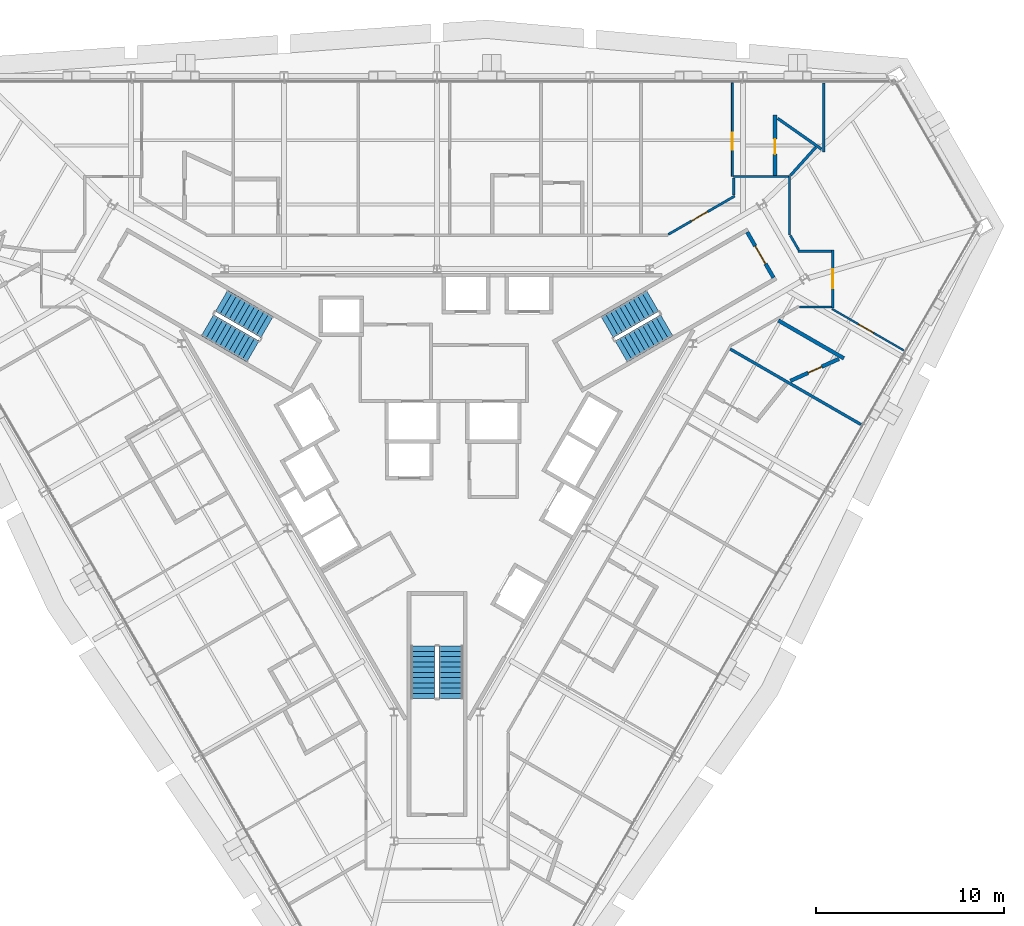
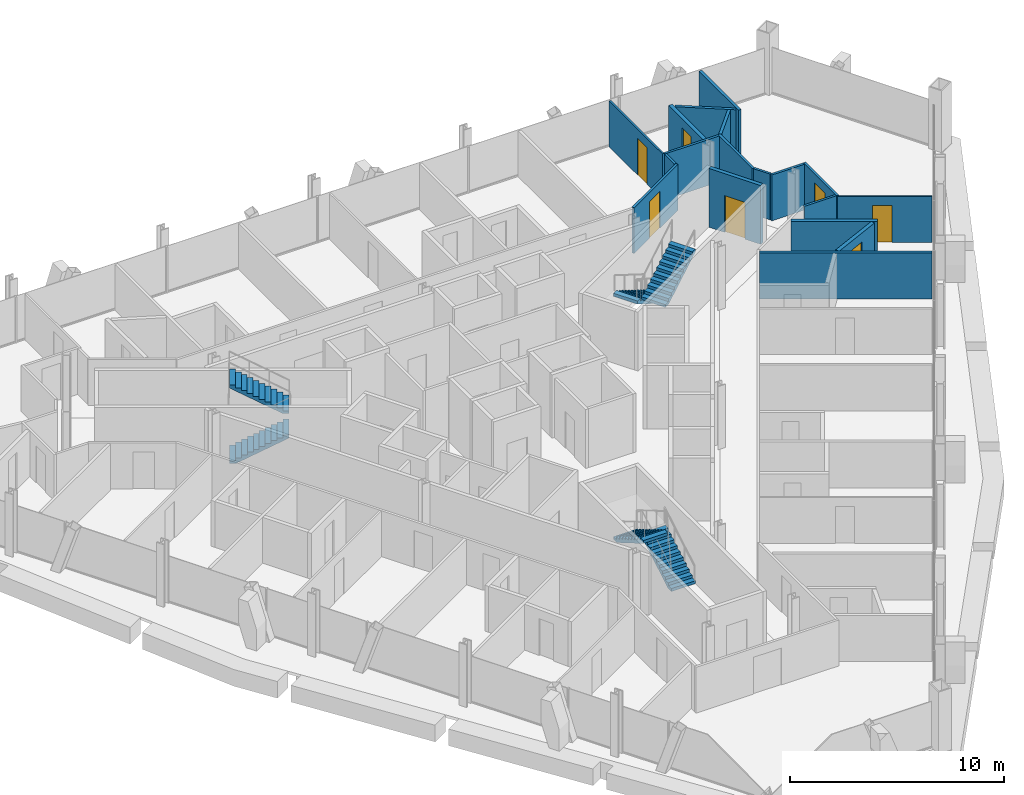
# One storey, part 17 of 19: 18 walls, 7 doors, 6 stair flights, 7 openings, 3 elements without a shape of their own.
"""IFC4 building model written with IfcOpenShell, lengths in metres."""

from ifc_helpers import new_model, si_unit, direction, frame, frame_2d, origin, place, context, subcontext, project, spatial, polyline, rectangle, outline, extrude, material, layer, layer_set, type_object, element, fill, aggregate, save


model = new_model("IFC4")

# Units and contexts
model_context = context("Model", 3, precision=1e-05, world=origin(), true_north=direction((0.0, 1.0)))
body_context = subcontext(model_context, "Body", "Model", "MODEL_VIEW")
ifc_project = project(units=[si_unit("LENGTHUNIT", "METRE"), si_unit("AREAUNIT", "SQUARE_METRE"), si_unit("VOLUMEUNIT", "CUBIC_METRE"), si_unit("PLANEANGLEUNIT", "RADIAN"), si_unit("MASSUNIT", "GRAM", prefix="KILO")], contexts=[model_context])

# Site, building, storey
site_placement = place(None, origin())
site = spatial("IfcSite", under=ifc_project, at=site_placement, CompositionType="ELEMENT")
building_placement = place(site_placement, origin())
building = spatial("IfcBuilding", under=site, at=building_placement, Name="Verrane Prism Tower", CompositionType="ELEMENT")
storey_placement = place(building_placement, frame((0.0, 0.0, 125.199951171875)))
storey = spatial("IfcBuildingStorey", under=building, at=storey_placement, Name="L30", CompositionType="ELEMENT", Elevation=125.199951171875)

# Wall, opening, door
ifc_material_1 = material(Name="Concrete C40/50", Category="concrete")
ifc_layer_1 = layer(ifc_material_1, 0.199951171875)
ifc_layer_set_1 = layer_set([ifc_layer_1], Name="CW-200 stair core wall concrete C40/50 3 h")
wall_type_1 = type_object("IfcWallType", Name="CW-200 stair core wall concrete C40/50 3 h", PredefinedType="PARTITIONING", material=ifc_layer_set_1)
wall_1_placement = place(storey_placement, frame((17.933837890625, 8.737548828125, 0.0), z_axis=(0.0, 0.0, 1.0), x_axis=(-0.49998411664, 0.866034573852, 0.0)))
wall_1 = element("IfcWall", 1, at=wall_1_placement, inside=storey, type_object=wall_type_1, Name="Stair 1 enclosure wall", PredefinedType="PARTITIONING", context=body_context, shape_type="SweptSolid", body=[
    extrude(rectangle(XDim=2.7998046875, YDim=0.199951171875, at=frame_2d((1.39990234375, 0.0))), origin(), (0.0, 0.0, 1.0), 3.35009765625),
])
opening_1_placement = place(wall_1_placement, frame((0.849853515625, 0.0, 0.0)))
opening_1 = element("IfcOpeningElement", 2, at=opening_1_placement, cuts=wall_1, Name="Opening D29500", PredefinedType="OPENING", context=body_context, shape_type="SweptSolid", body=[
    extrude(rectangle(XDim=1.10009765625, YDim=2.10009765625, at=frame_2d((0.550048828125, 1.050048828125))), frame((0.0, 0.10986328125, 0.0), z_axis=(0.0, -1.0, 0.0), x_axis=(1.0, 0.0, 0.0)), (0.0, 0.0, 1.0), 0.219970703125),
])
ifc_material_2 = material(Name="Timber veneered door leaf", Category="wood")
door_type_1 = type_object("IfcDoorType", Name="DR-1100x2100 FD90 single leaf stair", OperationType="NOTDEFINED", PredefinedType="DOOR", material=ifc_material_2)
door_1_placement = place(opening_1_placement, origin())
door_1 = element("IfcDoor", 3, at=door_1_placement, inside=storey, type_object=door_type_1, Name="Stair 1 door", OperationType="SINGLE_SWING_LEFT", OverallHeight=2.10009765625, OverallWidth=1.10009765625, PredefinedType="DOOR", context=body_context, shape_type="SweptSolid", body=[
    extrude(rectangle(XDim=1.10009765625, YDim=2.10009765625, at=frame_2d((0.550048828125, 1.050048828125))), frame((0.0, 0.02490234375, 0.0), z_axis=(0.0, -1.0, 0.0), x_axis=(1.0, 0.0, 0.0)), (0.0, 0.0, 1.0), 0.050048828125),
])
fill(opening_1, door_1)

ifc_material_3 = material(Name="Gypsum board partition", Category="other")
ifc_layer_2 = layer(ifc_material_3, 0.10009765625)
ifc_layer_set_2 = layer_set([ifc_layer_2], Name="PW-100 room partition")
wall_type_2 = type_object("IfcWallType", Name="PW-100 room partition", PredefinedType="PARTITIONING", material=ifc_layer_set_2)
wall_2_placement = place(storey_placement, frame((15.740966796875, 19.114990234375, 0.0), z_axis=(0.0, 0.0, 1.0), x_axis=(0.0, -1.0, 0.0)))
wall_2 = element("IfcWall", 4, at=wall_2_placement, inside=storey, type_object=wall_type_2, Name="Room partition 066", PredefinedType="PARTITIONING", context=body_context, shape_type="SweptSolid", body=[
    extrude(rectangle(XDim=4.98486328125, YDim=0.10009765625, at=frame_2d((2.492431640625, 0.0))), origin(), (0.0, 0.0, 1.0), 2.613037109375),
])
opening_2_placement = place(wall_2_placement, frame((2.65087890625, 0.0, 0.0)))
opening_2 = element("IfcOpeningElement", 5, at=opening_2_placement, cuts=wall_2, Name="Opening D29002", PredefinedType="OPENING", context=body_context, shape_type="SweptSolid", body=[
    extrude(rectangle(XDim=0.89990234375, YDim=2.10009765625, at=frame_2d((0.449951171875, 1.050048828125))), frame((0.0, 0.06005859375, 0.0), z_axis=(0.0, -1.0, 0.0), x_axis=(1.0, 0.0, 0.0)), (0.0, 0.0, 1.0), 0.1201171875),
])
ifc_material_4 = material(Name="Timber veneered door leaf", Category="wood")
door_type_2 = type_object("IfcDoorType", Name="DR-900x2100 single leaf inner", OperationType="NOTDEFINED", PredefinedType="DOOR", material=ifc_material_4)
door_2_placement = place(opening_2_placement, origin())
door_2 = element("IfcDoor", 6, at=door_2_placement, inside=storey, type_object=door_type_2, Name="Suite Living Room door", OperationType="SINGLE_SWING_LEFT", OverallHeight=2.10009765625, OverallWidth=0.89990234375, PredefinedType="DOOR", context=body_context, shape_type="SweptSolid", body=[
    extrude(rectangle(XDim=0.89990234375, YDim=2.10009765625, at=frame_2d((0.449951171875, 1.050048828125))), frame((0.0, 0.02490234375, 0.0), z_axis=(0.0, -1.0, 0.0), x_axis=(1.0, 0.0, 0.0)), (0.0, 0.0, 1.0), 0.050048828125),
])
fill(opening_2, door_2)

wall_3_placement = place(storey_placement, frame((24.8779296875, 4.85986328125, 0.0), z_axis=(0.0, 0.0, 1.0), x_axis=(-0.866005058873, 0.500035236765, 0.0)))
wall_3 = element("IfcWall", 7, at=wall_3_placement, inside=storey, type_object=wall_type_2, Name="Room partition 080", PredefinedType="PARTITIONING", context=body_context, shape_type="SweptSolid", body=[
    extrude(rectangle(XDim=4.414306640625, YDim=0.10009765625, at=frame_2d((2.20703125, 0.0))), origin(), (0.0, 0.0, 1.0), 2.613037109375),
])
opening_3_placement = place(wall_3_placement, frame((1.875732421875, 0.0, 0.0)))
opening_3 = element("IfcOpeningElement", 8, at=opening_3_placement, cuts=wall_3, Name="Opening D29039", PredefinedType="OPENING", context=body_context, shape_type="SweptSolid", body=[
    extrude(rectangle(XDim=0.89990234375, YDim=2.10009765625, at=frame_2d((0.449951171875, 1.050048828125))), frame((0.0, 0.06005859375, 0.0), z_axis=(0.0, -1.0, 0.0), x_axis=(1.0, 0.0, 0.0)), (0.0, 0.0, 1.0), 0.1201171875),
])
door_3_placement = place(opening_3_placement, origin())
door_3 = element("IfcDoor", 9, at=door_3_placement, inside=storey, type_object=door_type_2, Name="Suite Living Room door", OperationType="SINGLE_SWING_RIGHT", OverallHeight=2.10009765625, OverallWidth=0.89990234375, PredefinedType="DOOR", context=body_context, shape_type="SweptSolid", body=[
    extrude(rectangle(XDim=0.89990234375, YDim=2.10009765625, at=frame_2d((0.449951171875, 1.050048828125))), frame((0.0, 0.02490234375, 0.0), z_axis=(0.0, -1.0, 0.0), x_axis=(1.0, 0.0, 0.0)), (0.0, 0.0, 1.0), 0.050048828125),
])
fill(opening_3, door_3)

ifc_material_5 = material(Name="Gypsum board partition", Category="other")
ifc_layer_3 = layer(ifc_material_5, 0.125)
ifc_layer_set_3 = layer_set([ifc_layer_3], Name="PW-125 corridor wall 1 h")
wall_type_3 = type_object("IfcWallType", Name="PW-125 corridor wall 1 h", PredefinedType="PARTITIONING", material=ifc_layer_set_3)
wall_4_placement = place(storey_placement, frame((12.32666015625, 11.04248046875, 0.0), z_axis=(0.0, 0.0, 1.0), x_axis=(0.866070231021, 0.499922348909, 0.0)))
wall_4 = element("IfcWall", 10, at=wall_4_placement, inside=storey, type_object=wall_type_3, Name="Corridor wall 061", PredefinedType="PARTITIONING", context=body_context, shape_type="SweptSolid", body=[
    extrude(rectangle(XDim=4.088134765625, YDim=0.125, at=frame_2d((2.0439453125, 0.0))), origin(), (0.0, 0.0, 1.0), 2.613037109375),
])
opening_4_placement = place(wall_4_placement, frame((1.4150390625, 0.0, 0.0)))
opening_4 = element("IfcOpeningElement", 11, at=opening_4_placement, cuts=wall_4, Name="Opening D29001", PredefinedType="OPENING", context=body_context, shape_type="SweptSolid", body=[
    extrude(rectangle(XDim=1.0, YDim=2.10009765625, at=frame_2d((0.5, 1.050048828125))), frame((0.0, 0.072509765625, 0.0), z_axis=(0.0, -1.0, 0.0), x_axis=(1.0, 0.0, 0.0)), (0.0, 0.0, 1.0), 0.14501953125),
])
ifc_material_6 = material(Name="Timber veneered door leaf", Category="wood")
door_type_3 = type_object("IfcDoorType", Name="DR-1000x2100 FD20 single leaf unit", OperationType="NOTDEFINED", PredefinedType="DOOR", material=ifc_material_6)
door_4_placement = place(opening_4_placement, origin())
door_4 = element("IfcDoor", 12, at=door_4_placement, inside=storey, type_object=door_type_3, Name="Suite Living Room door", OperationType="SINGLE_SWING_LEFT", OverallHeight=2.10009765625, OverallWidth=1.0, PredefinedType="DOOR", context=body_context, shape_type="SweptSolid", body=[
    extrude(rectangle(XDim=1.0, YDim=2.10009765625, at=frame_2d((0.5, 1.050048828125))), frame((0.0, 0.02490234375, 0.0), z_axis=(0.0, -1.0, 0.0), x_axis=(1.0, 0.0, 0.0)), (0.0, 0.0, 1.0), 0.050048828125),
])
fill(opening_4, door_4)

# Walls
wall_5_placement = place(storey_placement, frame((15.81298828125, 13.139892578125, 0.0), z_axis=(0.0, 0.0, 1.0), x_axis=(0.0, 1.0, 0.0)))
element("IfcWall", 13, at=wall_5_placement, inside=storey, type_object=wall_type_3, Name="Corridor wall 067", PredefinedType="PARTITIONING", context=body_context, shape_type="SweptSolid", body=[
    extrude(rectangle(XDim=0.922119140625, YDim=0.125, at=frame_2d((0.4609375, 0.0))), origin(), (0.0, 0.0, 1.0), 2.613037109375),
])
wall_6_placement = place(storey_placement, frame((15.79541015625, 14.126953125, 0.0), z_axis=(0.0, 0.0, 1.0), x_axis=(1.0, 0.0, 0.0)))
element("IfcWall", 14, at=wall_6_placement, inside=storey, type_object=wall_type_3, Name="Corridor wall 068", PredefinedType="PARTITIONING", context=body_context, shape_type="SweptSolid", body=[
    extrude(rectangle(XDim=2.926513671875, YDim=0.125, at=frame_2d((1.46337890625, 0.0))), origin(), (0.0, 0.0, 1.0), 2.613037109375),
])
wall_7_placement = place(storey_placement, frame((18.787109375, 10.99755859375, 0.0), z_axis=(0.0, 0.0, 1.0), x_axis=(0.0, 1.0, 0.0)))
element("IfcWall", 15, at=wall_7_placement, inside=storey, type_object=wall_type_3, Name="Corridor wall 074", PredefinedType="PARTITIONING", context=body_context, shape_type="SweptSolid", body=[
    extrude(rectangle(XDim=3.19189453125, YDim=0.125, at=frame_2d((1.595947265625, 0.0))), origin(), (0.0, 0.0, 1.0), 2.613037109375),
])
wall_8_placement = place(storey_placement, frame((18.82958984375, 10.986328125, 0.0), z_axis=(0.0, 0.0, 1.0), x_axis=(0.499881837328, -0.866093614288, 0.0)))
element("IfcWall", 16, at=wall_8_placement, inside=storey, type_object=wall_type_3, Name="Corridor wall 075", PredefinedType="PARTITIONING", context=body_context, shape_type="SweptSolid", body=[
    extrude(rectangle(XDim=0.884033203125, YDim=0.125, at=frame_2d((0.44189453125, 0.0))), origin(), (0.0, 0.0, 1.0), 2.613037109375),
])
wall_9_placement = place(storey_placement, frame((19.30908203125, 7.173095703125, 0.0), z_axis=(0.0, 0.0, 1.0), x_axis=(1.0, 0.0, 0.0)))
element("IfcWall", 17, at=wall_9_placement, inside=storey, type_object=wall_type_3, Name="Corridor wall 077", PredefinedType="PARTITIONING", context=body_context, shape_type="SweptSolid", body=[
    extrude(rectangle(XDim=1.712890625, YDim=0.125, at=frame_2d((0.8564453125, 0.0))), origin(), (0.0, 0.0, 1.0), 2.613037109375),
])
wall_10_placement = place(storey_placement, frame((19.25146484375, 10.14697265625, 0.0), z_axis=(0.0, 0.0, 1.0), x_axis=(1.0, 0.0, 0.0)))
element("IfcWall", 18, at=wall_10_placement, inside=storey, type_object=wall_type_3, Name="Corridor wall 078", PredefinedType="PARTITIONING", context=body_context, shape_type="SweptSolid", body=[
    extrude(rectangle(XDim=1.7705078125, YDim=0.125, at=frame_2d((0.88525390625, 0.0))), origin(), (0.0, 0.0, 1.0), 2.613037109375),
])

# Wall, opening, door
wall_11_placement = place(storey_placement, frame((21.0869140625, 10.20947265625, 0.0), z_axis=(0.0, 0.0, 1.0), x_axis=(0.0, -1.0, 0.0)))
wall_11 = element("IfcWall", 19, at=wall_11_placement, inside=storey, type_object=wall_type_3, Name="Corridor wall 081", PredefinedType="PARTITIONING", context=body_context, shape_type="SweptSolid", body=[
    extrude(rectangle(XDim=3.098876953125, YDim=0.125, at=frame_2d((1.54931640625, 0.0))), origin(), (0.0, 0.0, 1.0), 2.613037109375),
])
opening_5_placement = place(wall_11_placement, frame((1.03662109375, 0.0, 0.0)))
opening_5 = element("IfcOpeningElement", 20, at=opening_5_placement, cuts=wall_11, Name="Opening D29038", PredefinedType="OPENING", context=body_context, shape_type="SweptSolid", body=[
    extrude(rectangle(XDim=1.0, YDim=2.10009765625, at=frame_2d((0.5, 1.050048828125))), frame((0.0, 0.072509765625, 0.0), z_axis=(0.0, -1.0, 0.0), x_axis=(1.0, 0.0, 0.0)), (0.0, 0.0, 1.0), 0.14501953125),
])
door_5_placement = place(opening_5_placement, origin())
door_5 = element("IfcDoor", 21, at=door_5_placement, inside=storey, type_object=door_type_3, Name="Suite Living Room door", OperationType="SINGLE_SWING_LEFT", OverallHeight=2.10009765625, OverallWidth=1.0, PredefinedType="DOOR", context=body_context, shape_type="SweptSolid", body=[
    extrude(rectangle(XDim=1.0, YDim=2.10009765625, at=frame_2d((0.5, 1.050048828125))), frame((0.0, 0.02490234375, 0.0), z_axis=(0.0, -1.0, 0.0), x_axis=(1.0, 0.0, 0.0)), (0.0, 0.0, 1.0), 0.050048828125),
])
fill(opening_5, door_5)

# Walls
ifc_material_7 = material(Name="Gypsum board partition", Category="other")
ifc_layer_4 = layer(ifc_material_7, 0.14990234375)
ifc_layer_set_4 = layer_set([ifc_layer_4], Name="PW-150 demising wall 1 h")
wall_type_4 = type_object("IfcWallType", Name="PW-150 demising wall 1 h", PredefinedType="PARTITIONING", material=ifc_layer_set_4)
wall_12_placement = place(storey_placement, frame((15.62646484375, 4.93115234375, 0.0), z_axis=(0.0, 0.0, 1.0), x_axis=(0.866059795523, -0.49994042703, 0.0)))
element("IfcWall", 22, at=wall_12_placement, inside=storey, type_object=wall_type_4, Name="Demising wall 064", PredefinedType="PARTITIONING", context=body_context, shape_type="SweptSolid", body=[
    extrude(rectangle(XDim=8.04736328125, YDim=0.14990234375, at=frame_2d((4.023681640625, 0.0))), origin(), (0.0, 0.0, 1.0), 2.613037109375),
])
wall_13_placement = place(storey_placement, frame((18.1552734375, 17.2265625, 0.0), z_axis=(0.0, 0.0, 1.0), x_axis=(0.818464329231, -0.574557344202, 0.0)))
element("IfcWall", 23, at=wall_13_placement, inside=storey, type_object=wall_type_4, Name="Demising wall 071", PredefinedType="PARTITIONING", context=body_context, shape_type="SweptSolid", body=[
    extrude(rectangle(XDim=2.856689453125, YDim=0.14990234375, at=frame_2d((1.42822265625, 0.0))), origin(), (0.0, 0.0, 1.0), 2.613037109375),
])
wall_14_placement = place(storey_placement, frame((18.845458984375, 14.192138671875, 0.0), z_axis=(0.0, 0.0, 1.0), x_axis=(0.66770692524, 0.744424248655, 0.0)))
element("IfcWall", 24, at=wall_14_placement, inside=storey, type_object=wall_type_4, Name="Demising wall 076", PredefinedType="PARTITIONING", context=body_context, shape_type="SweptSolid", body=[
    extrude(rectangle(XDim=2.017578125, YDim=0.14990234375, at=frame_2d((1.0087890625, 0.0))), origin(), (0.0, 0.0, 1.0), 2.613037109375),
])
wall_15_placement = place(storey_placement, frame((20.612060546875, 15.427001953125, 0.0), z_axis=(0.0, 0.0, 1.0), x_axis=(0.0, 1.0, 0.0)))
element("IfcWall", 25, at=wall_15_placement, inside=storey, type_object=wall_type_4, Name="Demising wall 079", PredefinedType="PARTITIONING", context=body_context, shape_type="SweptSolid", body=[
    extrude(rectangle(XDim=3.68798828125, YDim=0.14990234375, at=frame_2d((1.843994140625, 0.0))), origin(), (0.0, 0.0, 1.0), 2.613037109375),
])

# Wall, opening, door
ifc_material_8 = material(Name="Gypsum board partition", Category="other")
ifc_layer_5 = layer(ifc_material_8, 0.199951171875)
ifc_layer_set_5 = layer_set([ifc_layer_5], Name="PW-200 plumbing wall")
wall_type_5 = type_object("IfcWallType", Name="PW-200 plumbing wall", PredefinedType="PARTITIONING", material=ifc_layer_set_5)
wall_16_placement = place(storey_placement, frame((18.011962890625, 17.402099609375, 0.0), z_axis=(0.0, 0.0, 1.0), x_axis=(0.0, -1.0, 0.0)))
wall_16 = element("IfcWall", 26, at=wall_16_placement, inside=storey, type_object=wall_type_5, Name="Plumbing wall 070", PredefinedType="PARTITIONING", context=body_context, shape_type="SweptSolid", body=[
    extrude(rectangle(XDim=3.212646484375, YDim=0.199951171875, at=frame_2d((1.6064453125, 0.0))), origin(), (0.0, 0.0, 1.0), 2.613037109375),
])
opening_6_placement = place(wall_16_placement, frame((1.27490234375, 0.0, 0.0)))
opening_6 = element("IfcOpeningElement", 27, at=opening_6_placement, cuts=wall_16, Name="Opening D29003", PredefinedType="OPENING", context=body_context, shape_type="SweptSolid", body=[
    extrude(rectangle(XDim=0.800048828125, YDim=2.10009765625, at=frame_2d((0.39990234375, 1.050048828125))), frame((0.0, 0.10986328125, 0.0), z_axis=(0.0, -1.0, 0.0), x_axis=(1.0, 0.0, 0.0)), (0.0, 0.0, 1.0), 0.219970703125),
])
ifc_material_9 = material(Name="Timber veneered door leaf", Category="wood")
door_type_4 = type_object("IfcDoorType", Name="DR-800x2100 single leaf bath", OperationType="NOTDEFINED", PredefinedType="DOOR", material=ifc_material_9)
door_6_placement = place(opening_6_placement, origin())
door_6 = element("IfcDoor", 28, at=door_6_placement, inside=storey, type_object=door_type_4, Name="En-Suite door", OperationType="SINGLE_SWING_RIGHT", OverallHeight=2.10009765625, OverallWidth=0.800048828125, PredefinedType="DOOR", context=body_context, shape_type="SweptSolid", body=[
    extrude(rectangle(XDim=0.800048828125, YDim=2.10009765625, at=frame_2d((0.39990234375, 1.050048828125))), frame((0.0, 0.02490234375, 0.0), z_axis=(0.0, -1.0, 0.0), x_axis=(1.0, 0.0, 0.0)), (0.0, 0.0, 1.0), 0.050048828125),
])
fill(opening_6, door_6)

# Wall
wall_17_placement = place(storey_placement, frame((18.196533203125, 6.449951171875, 0.0), z_axis=(0.0, 0.0, 1.0), x_axis=(0.866031230052, -0.499989908473, 0.0)))
element("IfcWall", 29, at=wall_17_placement, inside=storey, type_object=wall_type_5, Name="Plumbing wall 072", PredefinedType="PARTITIONING", context=body_context, shape_type="SweptSolid", body=[
    extrude(rectangle(XDim=4.02978515625, YDim=0.199951171875, at=frame_2d((2.014892578125, 0.0))), origin(), (0.0, 0.0, 1.0), 2.613037109375),
])

# Wall, opening, door
wall_18_placement = place(storey_placement, frame((18.83349609375, 3.233642578125, 0.0), z_axis=(0.0, 0.0, 1.0), x_axis=(0.911141723421, 0.412093144618, 0.0)))
wall_18 = element("IfcWall", 30, at=wall_18_placement, inside=storey, type_object=wall_type_5, Name="Plumbing wall 073", PredefinedType="PARTITIONING", context=body_context, shape_type="SweptSolid", body=[
    extrude(rectangle(XDim=2.84130859375, YDim=0.199951171875, at=frame_2d((1.420654296875, 0.0))), origin(), (0.0, 0.0, 1.0), 2.613037109375),
])
opening_7_placement = place(wall_18_placement, frame((1.035888671875, 0.0, 0.0)))
opening_7 = element("IfcOpeningElement", 31, at=opening_7_placement, cuts=wall_18, Name="Opening D29040", PredefinedType="OPENING", context=body_context, shape_type="SweptSolid", body=[
    extrude(rectangle(XDim=0.800048828125, YDim=2.10009765625, at=frame_2d((0.39990234375, 1.050048828125))), frame((0.0, 0.10986328125, 0.0), z_axis=(0.0, -1.0, 0.0), x_axis=(1.0, 0.0, 0.0)), (0.0, 0.0, 1.0), 0.219970703125),
])
door_7_placement = place(opening_7_placement, origin())
door_7 = element("IfcDoor", 32, at=door_7_placement, inside=storey, type_object=door_type_4, Name="En-Suite door", OperationType="SINGLE_SWING_RIGHT", OverallHeight=2.10009765625, OverallWidth=0.800048828125, PredefinedType="DOOR", context=body_context, shape_type="SweptSolid", body=[
    extrude(rectangle(XDim=0.800048828125, YDim=2.10009765625, at=frame_2d((0.39990234375, 1.050048828125))), frame((0.0, 0.02490234375, 0.0), z_axis=(0.0, -1.0, 0.0), x_axis=(1.0, 0.0, 0.0)), (0.0, 0.0, 1.0), 0.050048828125),
])
fill(opening_7, door_7)

# Stair, stair flights
ifc_material_10 = material(Name="Concrete C40/50", Category="concrete")
stair_type = type_object("IfcStairType", Name="Exit stair 1300 dog-leg precast concrete C40/50", PredefinedType="HALF_TURN_STAIR", material=ifc_material_10)
stair_1_placement = place(storey_placement, origin())
stair_1 = element("IfcStair", 33, at=stair_1_placement, inside=storey, type_object=stair_type, Name="Stair 1 L30", PredefinedType="HALF_TURN_STAIR")
ifc_material_11 = material(Name="Concrete C40/50", Category="concrete")
stair_flight_type = type_object("IfcStairFlightType", Name="Stair flight 1300 precast concrete C40/50", PredefinedType="STRAIGHT", material=ifc_material_11)
stair_flight_1_placement = place(storey_placement, frame((11.489501953125, 7.49951171875, 0.0), z_axis=(0.0, 0.0, 1.0), x_axis=(-0.866025403784, -0.5, 0.0)))
stair_flight_1 = element("IfcStairFlight", 34, at=stair_flight_1_placement, type_object=stair_flight_type, Name="Stair 1 flight 1", NumberOfRisers=11, NumberOfTreads=10, PredefinedType="STRAIGHT", RiserHeight=0.163636364, TreadLength=0.28, context=body_context, shape_type="SweptSolid", body=[
    extrude(outline(polyline([(0.0, 0.0), (0.0, 0.16357421875), (0.280029296875, 0.16357421875), (0.280029296875, 0.327392578125), (0.56005859375, 0.327392578125), (0.56005859375, 0.490966796875), (0.840087890625, 0.490966796875), (0.840087890625, 0.654541015625), (1.1201171875, 0.654541015625), (1.1201171875, 0.818115234375), (1.39990234375, 0.818115234375), (1.39990234375, 0.98193359375), (1.679931640625, 0.98193359375), (1.679931640625, 1.1455078125), (1.9599609375, 1.1455078125), (1.9599609375, 1.30908203125), (2.239990234375, 1.30908203125), (2.239990234375, 1.47265625), (2.52001953125, 1.47265625), (2.52001953125, 1.636474609375), (2.800048828125, 1.636474609375), (2.800048828125, 1.800048828125), (2.800048828125, 1.462646484375), (0.297119140625, 0.0), (0.0, 0.0)])), frame((0.0, 0.64990234375, 0.0), z_axis=(0.0, -1.0, 0.0), x_axis=(1.0, 0.0, 0.0)), (0.0, 0.0, 1.0), 1.300048828125),
])
stair_flight_2_placement = place(storey_placement, frame((9.814697265625, 4.800537109375, 1.800048828125), z_axis=(0.0, 0.0, 1.0), x_axis=(0.866025403784, 0.5, 0.0)))
stair_flight_2 = element("IfcStairFlight", 35, at=stair_flight_2_placement, type_object=stair_flight_type, Name="Stair 1 flight 2", NumberOfRisers=11, NumberOfTreads=10, PredefinedType="STRAIGHT", RiserHeight=0.163636364, TreadLength=0.28, context=body_context, shape_type="SweptSolid", body=[
    extrude(outline(polyline([(0.0, 0.0), (0.0, 0.16357421875), (0.280029296875, 0.16357421875), (0.280029296875, 0.327392578125), (0.56005859375, 0.327392578125), (0.56005859375, 0.490966796875), (0.840087890625, 0.490966796875), (0.840087890625, 0.654541015625), (1.1201171875, 0.654541015625), (1.1201171875, 0.818115234375), (1.39990234375, 0.818115234375), (1.39990234375, 0.98193359375), (1.679931640625, 0.98193359375), (1.679931640625, 1.1455078125), (1.9599609375, 1.1455078125), (1.9599609375, 1.30908203125), (2.239990234375, 1.30908203125), (2.239990234375, 1.47265625), (2.52001953125, 1.47265625), (2.52001953125, 1.636474609375), (2.800048828125, 1.636474609375), (2.800048828125, 1.800048828125), (2.800048828125, 1.462646484375), (0.297119140625, 0.0), (0.0, 0.0)])), frame((0.0, 0.64990234375, 0.0), z_axis=(0.0, -1.0, 0.0), x_axis=(1.0, 0.0, 0.0)), (0.0, 0.0, 1.0), 1.300048828125),
])
aggregate(stair_1, [stair_flight_1, stair_flight_2])

stair_2_placement = place(storey_placement, origin())
stair_2 = element("IfcStair", 36, at=stair_2_placement, inside=storey, type_object=stair_type, Name="Stair 2 L30", PredefinedType="HALF_TURN_STAIR")
stair_flight_3_placement = place(storey_placement, frame((-12.239501953125, 6.200439453125, 0.0), z_axis=(0.0, 0.0, 1.0), x_axis=(0.866025403784, -0.5, 0.0)))
stair_flight_3 = element("IfcStairFlight", 37, at=stair_flight_3_placement, type_object=stair_flight_type, Name="Stair 2 flight 1", NumberOfRisers=11, NumberOfTreads=10, PredefinedType="STRAIGHT", RiserHeight=0.163636364, TreadLength=0.28, context=body_context, shape_type="SweptSolid", body=[
    extrude(outline(polyline([(0.0, 0.0), (0.0, 0.16357421875), (0.280029296875, 0.16357421875), (0.280029296875, 0.327392578125), (0.56005859375, 0.327392578125), (0.56005859375, 0.490966796875), (0.840087890625, 0.490966796875), (0.840087890625, 0.654541015625), (1.1201171875, 0.654541015625), (1.1201171875, 0.818115234375), (1.39990234375, 0.818115234375), (1.39990234375, 0.98193359375), (1.679931640625, 0.98193359375), (1.679931640625, 1.1455078125), (1.9599609375, 1.1455078125), (1.9599609375, 1.30908203125), (2.239990234375, 1.30908203125), (2.239990234375, 1.47265625), (2.52001953125, 1.47265625), (2.52001953125, 1.636474609375), (2.800048828125, 1.636474609375), (2.800048828125, 1.800048828125), (2.800048828125, 1.462646484375), (0.297119140625, 0.0), (0.0, 0.0)])), frame((0.0, 0.64990234375, 0.0), z_axis=(0.0, -1.0, 0.0), x_axis=(1.0, 0.0, 0.0)), (0.0, 0.0, 1.0), 1.300048828125),
])
stair_flight_4_placement = place(storey_placement, frame((-9.064697265625, 6.099609375, 1.800048828125), z_axis=(0.0, 0.0, 1.0), x_axis=(-0.866025403784, 0.5, 0.0)))
stair_flight_4 = element("IfcStairFlight", 38, at=stair_flight_4_placement, type_object=stair_flight_type, Name="Stair 2 flight 2", NumberOfRisers=11, NumberOfTreads=10, PredefinedType="STRAIGHT", RiserHeight=0.163636364, TreadLength=0.28, context=body_context, shape_type="SweptSolid", body=[
    extrude(outline(polyline([(0.0, 0.0), (0.0, 0.16357421875), (0.280029296875, 0.16357421875), (0.280029296875, 0.327392578125), (0.56005859375, 0.327392578125), (0.56005859375, 0.490966796875), (0.840087890625, 0.490966796875), (0.840087890625, 0.654541015625), (1.1201171875, 0.654541015625), (1.1201171875, 0.818115234375), (1.39990234375, 0.818115234375), (1.39990234375, 0.98193359375), (1.679931640625, 0.98193359375), (1.679931640625, 1.1455078125), (1.9599609375, 1.1455078125), (1.9599609375, 1.30908203125), (2.239990234375, 1.30908203125), (2.239990234375, 1.47265625), (2.52001953125, 1.47265625), (2.52001953125, 1.636474609375), (2.800048828125, 1.636474609375), (2.800048828125, 1.800048828125), (2.800048828125, 1.462646484375), (0.297119140625, 0.0), (0.0, 0.0)])), frame((0.0, 0.64990234375, 0.0), z_axis=(0.0, -1.0, 0.0), x_axis=(1.0, 0.0, 0.0)), (0.0, 0.0, 1.0), 1.300048828125),
])
aggregate(stair_2, [stair_flight_3, stair_flight_4])

stair_3_placement = place(storey_placement, origin())
stair_3 = element("IfcStair", 39, at=stair_3_placement, inside=storey, type_object=stair_type, Name="Stair 3 L30", PredefinedType="HALF_TURN_STAIR")
stair_flight_5_placement = place(storey_placement, frame((0.75, -13.699951171875, 0.0), z_axis=(0.0, 0.0, 1.0), x_axis=(0.0, 1.0, 0.0)))
stair_flight_5 = element("IfcStairFlight", 40, at=stair_flight_5_placement, type_object=stair_flight_type, Name="Stair 3 flight 1", NumberOfRisers=11, NumberOfTreads=10, PredefinedType="STRAIGHT", RiserHeight=0.163636364, TreadLength=0.28, context=body_context, shape_type="SweptSolid", body=[
    extrude(outline(polyline([(0.0, 0.0), (0.0, 0.16357421875), (0.280029296875, 0.16357421875), (0.280029296875, 0.327392578125), (0.56005859375, 0.327392578125), (0.56005859375, 0.490966796875), (0.840087890625, 0.490966796875), (0.840087890625, 0.654541015625), (1.1201171875, 0.654541015625), (1.1201171875, 0.818115234375), (1.39990234375, 0.818115234375), (1.39990234375, 0.98193359375), (1.679931640625, 0.98193359375), (1.679931640625, 1.1455078125), (1.9599609375, 1.1455078125), (1.9599609375, 1.30908203125), (2.239990234375, 1.30908203125), (2.239990234375, 1.47265625), (2.52001953125, 1.47265625), (2.52001953125, 1.636474609375), (2.800048828125, 1.636474609375), (2.800048828125, 1.800048828125), (2.800048828125, 1.462646484375), (0.297119140625, 0.0), (0.0, 0.0)])), frame((0.0, 0.64990234375, 0.0), z_axis=(0.0, -1.0, 0.0), x_axis=(1.0, 0.0, 0.0)), (0.0, 0.0, 1.0), 1.300048828125),
])
stair_flight_6_placement = place(storey_placement, frame((-0.75, -10.89990234375, 1.800048828125), z_axis=(0.0, 0.0, 1.0), x_axis=(0.0, -1.0, 0.0)))
stair_flight_6 = element("IfcStairFlight", 41, at=stair_flight_6_placement, type_object=stair_flight_type, Name="Stair 3 flight 2", NumberOfRisers=11, NumberOfTreads=10, PredefinedType="STRAIGHT", RiserHeight=0.163636364, TreadLength=0.28, context=body_context, shape_type="SweptSolid", body=[
    extrude(outline(polyline([(0.0, 0.0), (0.0, 0.16357421875), (0.280029296875, 0.16357421875), (0.280029296875, 0.327392578125), (0.56005859375, 0.327392578125), (0.56005859375, 0.490966796875), (0.840087890625, 0.490966796875), (0.840087890625, 0.654541015625), (1.1201171875, 0.654541015625), (1.1201171875, 0.818115234375), (1.39990234375, 0.818115234375), (1.39990234375, 0.98193359375), (1.679931640625, 0.98193359375), (1.679931640625, 1.1455078125), (1.9599609375, 1.1455078125), (1.9599609375, 1.30908203125), (2.239990234375, 1.30908203125), (2.239990234375, 1.47265625), (2.52001953125, 1.47265625), (2.52001953125, 1.636474609375), (2.800048828125, 1.636474609375), (2.800048828125, 1.800048828125), (2.800048828125, 1.462646484375), (0.297119140625, 0.0), (0.0, 0.0)])), frame((0.0, 0.64990234375, 0.0), z_axis=(0.0, -1.0, 0.0), x_axis=(1.0, 0.0, 0.0)), (0.0, 0.0, 1.0), 1.300048828125),
])
aggregate(stair_3, [stair_flight_5, stair_flight_6])

save(model, "model.ifc")
